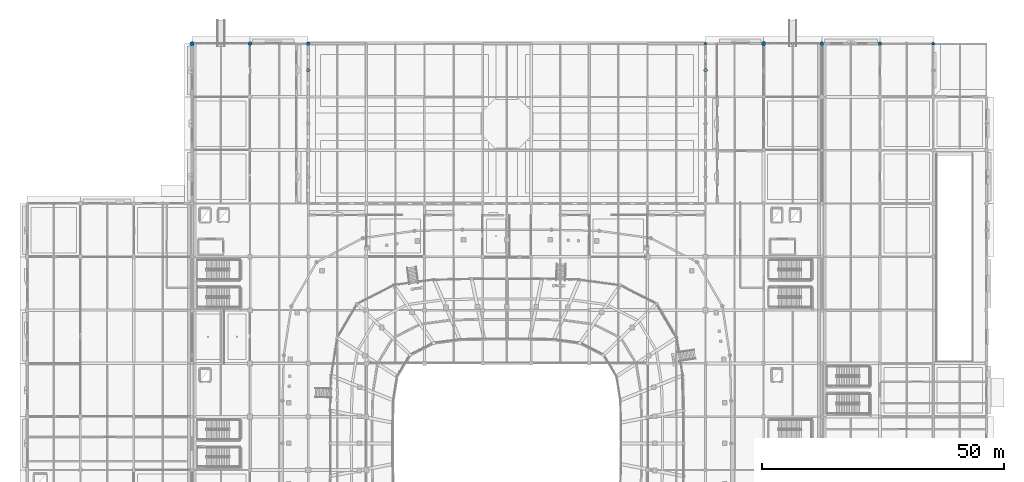
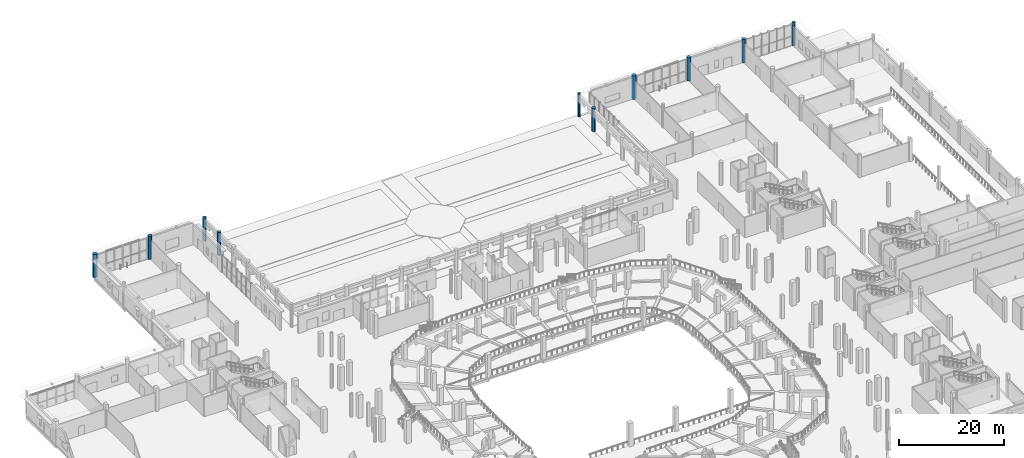
# One storey, part 15 of 120: 10 columns.
"""IFC4 building model written with IfcOpenShell, lengths in metres."""

from ifc_helpers import new_model, si_unit, direction, frame, origin, origin_2d, place, context, subcontext, project, spatial, circle, extrude, material, material_profile, profile_set, type_object, element, save


model = new_model("IFC4")

# Units and contexts
model_context = context("Model", 3, precision=1e-05, world=origin(), true_north=direction((0.0, 1.0)))
body_context = subcontext(model_context, "Body", "Model", "MODEL_VIEW")
ifc_project = project(units=[si_unit("LENGTHUNIT", "METRE"), si_unit("AREAUNIT", "SQUARE_METRE"), si_unit("VOLUMEUNIT", "CUBIC_METRE"), si_unit("PLANEANGLEUNIT", "RADIAN"), si_unit("MASSUNIT", "GRAM", prefix="KILO")], contexts=[model_context])

# Site, building, storey
site_placement = place(None, origin())
site = spatial("IfcSite", under=ifc_project, at=site_placement, CompositionType="ELEMENT")
building_placement = place(site_placement, origin())
building = spatial("IfcBuilding", under=site, at=building_placement, Name="Luwafu Chhajja Arena", CompositionType="ELEMENT")
storey_placement = place(building_placement, origin())
storey = spatial("IfcBuildingStorey", under=building, at=storey_placement, Name="L00", CompositionType="ELEMENT", Elevation=0.0)

# Columns
ifc_material_1 = material(Name="Concrete C35/45", Category="concrete")
ifc_material_profile_1 = material_profile(ifc_material_1, circle(Radius=0.375, at=origin_2d()), Name="RC COL D750")
ifc_profile_set_1 = profile_set([ifc_material_profile_1], Name="Concrete C35/45")
column_type_1 = type_object("IfcColumnType", Name="Charbagh Cloister Pier D750", PredefinedType="COLUMN", material=ifc_profile_set_1)
for number, where, z_axis, x_axis, name in (
    (1, (58.0, 132.0, 0.0), (0.0, 0.0, 1.0), (1.0, 0.0, 0.0), "L00 Grid Column 6/N"),
    (2, (176.0, 132.0, 0.0), (0.0, 0.0, 1.0), (1.0, 0.0, 0.0), "L00 Grid Column 16/N"),
    (3, (58.0, 126.5, 0.0), (0.0, 0.0, 1.0), (1.0, 0.0, 0.0), "L00 Mughal Riwaq Colonnade Pier CHW11"),
    (4, (140.0, 126.5, 0.0), (0.0, 0.0, 1.0), (1.0, 0.0, 0.0), "L00 Mughal Riwaq Colonnade Pier CHE11"),
):
    element("IfcColumn", number, at=place(storey_placement, frame(where, z_axis=z_axis, x_axis=x_axis)), inside=storey, type_object=column_type_1, Name=name, PredefinedType="COLUMN", context=body_context, shape_type="SweptSolid", body=[
        extrude(circle(Radius=0.375, at=origin_2d()), origin(), (0.0, 0.0, 1.0), 5.39990234375),
    ])
ifc_material_profile_2 = material_profile(ifc_material_1, circle(Radius=0.324951171875, at=origin_2d()), Name="RC COL D650")
ifc_profile_set_2 = profile_set([ifc_material_profile_2], Name="Concrete C35/45")
column_type_2 = type_object("IfcColumnType", Name="Courtyard Arcade Pier D650", PredefinedType="COLUMN", material=ifc_profile_set_2)
column_1_placement = place(storey_placement, frame((187.0, 132.0, 0.0), z_axis=(0.0, 0.0, 1.0), x_axis=(1.0, 0.0, 0.0)))
element("IfcColumn", 5, at=column_1_placement, inside=storey, type_object=column_type_2, Name="L00 Grid Column 17/N", PredefinedType="COLUMN", context=body_context, shape_type="SweptSolid", body=[
    extrude(circle(Radius=0.324951171875, at=origin_2d()), origin(), (0.0, 0.0, 1.0), 5.39990234375),
])
ifc_material_2 = material(Name="Concrete C40/50", Category="concrete")
ifc_material_profile_3 = material_profile(ifc_material_2, circle(Radius=0.39990234375, at=origin_2d()), Name="RC COL D800")
ifc_profile_set_3 = profile_set([ifc_material_profile_3], Name="Concrete C40/50")
column_type_3 = type_object("IfcColumnType", Name="Foyer Rotunda Pier D800", PredefinedType="COLUMN", material=ifc_profile_set_3)
for number, where, z_axis, x_axis, name in (
    (6, (46.0, 132.0, 0.0), (0.0, 0.0, 1.0), (1.0, 0.0, 0.0), "L00 Grid Column 5/N"),
    (7, (164.0, 132.0, 0.0), (0.0, 0.0, 1.0), (1.0, 0.0, 0.0), "L00 Grid Column 15/N"),
):
    element("IfcColumn", number, at=place(storey_placement, frame(where, z_axis=z_axis, x_axis=x_axis)), inside=storey, type_object=column_type_3, Name=name, PredefinedType="COLUMN", context=body_context, shape_type="SweptSolid", body=[
        extrude(circle(Radius=0.39990234375, at=origin_2d()), origin(), (0.0, 0.0, 1.0), 5.39990234375),
    ])
ifc_material_profile_4 = material_profile(ifc_material_2, circle(Radius=0.449951171875, at=origin_2d()), Name="RC COL D900")
ifc_profile_set_4 = profile_set([ifc_material_profile_4], Name="Concrete C40/50")
column_type_4 = type_object("IfcColumnType", Name="Mughal Colonnade Drum Pier D900", PredefinedType="COLUMN", material=ifc_profile_set_4)
for number, where, z_axis, x_axis, name in (
    (8, (34.0, 132.0, 0.0), (0.0, 0.0, 1.0), (1.0, 0.0, 0.0), "L00 Grid Column 4/N"),
    (9, (152.0, 132.0, 0.0), (0.0, 0.0, 1.0), (1.0, 0.0, 0.0), "L00 Grid Column 14/N"),
):
    element("IfcColumn", number, at=place(storey_placement, frame(where, z_axis=z_axis, x_axis=x_axis)), inside=storey, type_object=column_type_4, Name=name, PredefinedType="COLUMN", context=body_context, shape_type="SweptSolid", body=[
        extrude(circle(Radius=0.449951171875, at=origin_2d()), origin(), (0.0, 0.0, 1.0), 5.39990234375),
    ])
ifc_material_profile_5 = material_profile(ifc_material_1, circle(Radius=0.27490234375, at=origin_2d()), Name="RC COL D550")
ifc_profile_set_5 = profile_set([ifc_material_profile_5], Name="Concrete C35/45")
column_type_5 = type_object("IfcColumnType", Name="Terrace Loggia Pier D550", PredefinedType="COLUMN", material=ifc_profile_set_5)
column_2_placement = place(storey_placement, frame((140.0, 132.0, 0.0), z_axis=(0.0, 0.0, 1.0), x_axis=(1.0, 0.0, 0.0)))
element("IfcColumn", 10, at=column_2_placement, inside=storey, type_object=column_type_5, Name="L00 Grid Column 13/N", PredefinedType="COLUMN", context=body_context, shape_type="SweptSolid", body=[
    extrude(circle(Radius=0.27490234375, at=origin_2d()), origin(), (0.0, 0.0, 1.0), 5.39990234375),
])

save(model, "model.ifc")
